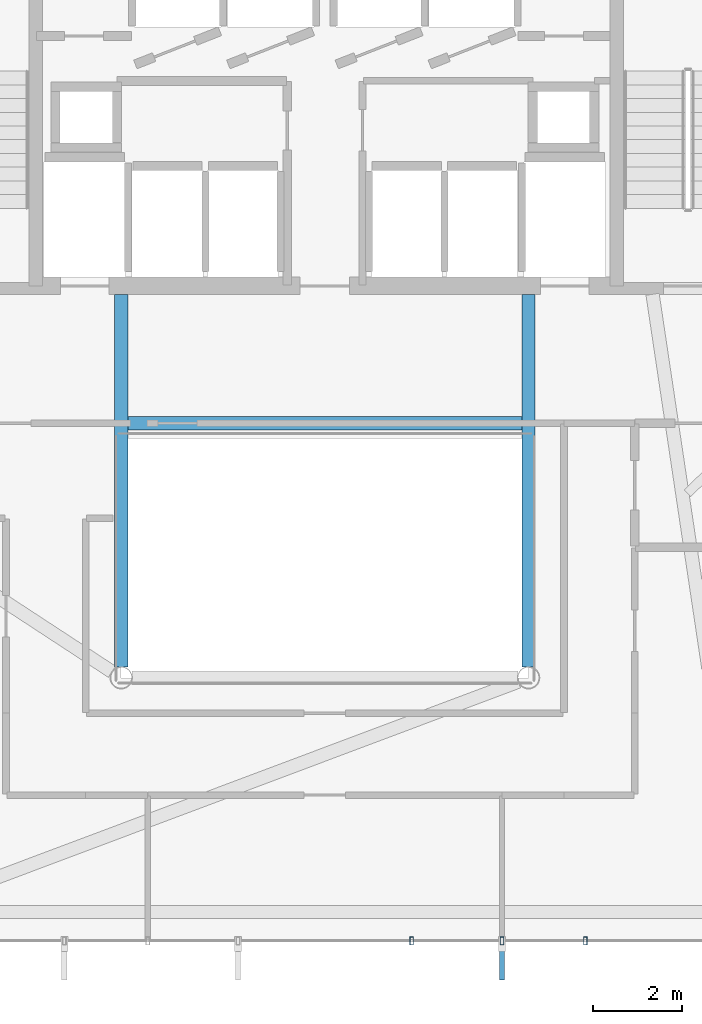
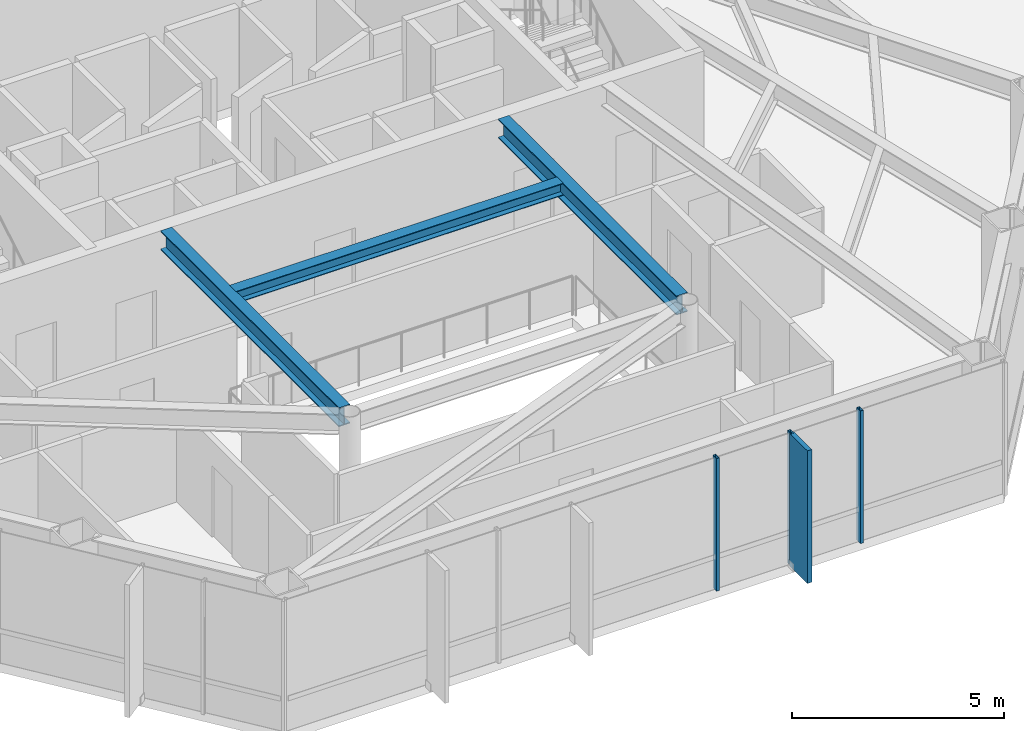
# One storey, part 8 of 25: 4 members, 3 beams, 1 element without a shape of its own.
"""IFC4 building model written with IfcOpenShell, lengths in metres."""

from ifc_helpers import new_model, si_unit, direction, frame, origin, origin_2d, place, context, subcontext, project, spatial, rectangle, hollow_rectangle, i_section, extrude, material, layer, layer_set, material_profile, profile_set, type_object, element, aggregate, save


model = new_model("IFC4")

# Units and contexts
model_context = context("Model", 3, precision=1e-05, world=origin(), true_north=direction((0.0, 1.0)))
body_context = subcontext(model_context, "Body", "Model", "MODEL_VIEW")
ifc_project = project(units=[si_unit("LENGTHUNIT", "METRE"), si_unit("AREAUNIT", "SQUARE_METRE"), si_unit("VOLUMEUNIT", "CUBIC_METRE"), si_unit("PLANEANGLEUNIT", "RADIAN"), si_unit("MASSUNIT", "GRAM", prefix="KILO")], contexts=[model_context])

# Site, building, storey
site_placement = place(None, origin())
site = spatial("IfcSite", under=ifc_project, at=site_placement, CompositionType="ELEMENT")
building_placement = place(site_placement, origin())
building = spatial("IfcBuilding", under=site, at=building_placement, Name="Zarrinselat Tower", CompositionType="ELEMENT")
storey_placement = place(building_placement, frame((0.0, 0.0, 88.739990234375)))
storey = spatial("IfcBuildingStorey", under=building, at=storey_placement, Name="L21", CompositionType="ELEMENT", Elevation=88.739990234375)

# Beams
ifc_material_1 = material(Name="Steel S355J2", Category="steel")
ifc_material_profile_1 = material_profile(ifc_material_1, i_section(OverallWidth=0.300048828125, OverallDepth=0.35009765625, WebThickness=0.010009765625, FlangeThickness=0.017578125, at=origin_2d()), Name="HEA 360")
ifc_profile_set_1 = profile_set([ifc_material_profile_1], Name="Steel S355J2")
beam_type_1 = type_object("IfcBeamType", Name="BM-HEA360", PredefinedType="LINTEL", material=ifc_profile_set_1)
beam_placement = place(storey_placement, frame((33.93994140625, 30.14990234375, 3.64501953125), z_axis=(1.0, 0.0, 0.0), x_axis=(0.0, 1.0, 0.0)))
element("IfcBeam", 1, at=beam_placement, inside=storey, type_object=beam_type_1, Name="L21 Lift Lobby Ceiling Beam", PredefinedType="LINTEL", context=body_context, shape_type="SweptSolid", body=[
    extrude(i_section(OverallWidth=0.300048828125, OverallDepth=0.35009765625, WebThickness=0.010009765625, FlangeThickness=0.017578125, at=origin_2d()), origin(), (0.0, 0.0, 1.0), 8.920166015625),
])
ifc_material_2 = material(Name="Steel S355J2", Category="steel")
ifc_material_profile_2 = material_profile(ifc_material_2, i_section(OverallWidth=0.300048828125, OverallDepth=0.550048828125, WebThickness=0.014892578125, FlangeThickness=0.029052734375, at=origin_2d()), Name="HEB 550")
ifc_profile_set_2 = profile_set([ifc_material_profile_2], Name="Steel S355J2")
beam_type_2 = type_object("IfcBeamType", Name="BM-HEB550", PredefinedType="BEAM", material=ifc_profile_set_2)
for number, where, z_axis, x_axis, name in (
    (2, (33.800048828125, 24.639892578125, 3.544921875), (0.0, 1.0, 0.0), (-1.0, 0.0, 0.0), "L21 Atrium Edge Beam W"),
    (3, (43.0, 24.639892578125, 3.544921875), (0.0, 1.0, 0.0), (-1.0, 0.0, 0.0), "L21 Atrium Edge Beam E"),
):
    element("IfcBeam", number, at=place(storey_placement, frame(where, z_axis=z_axis, x_axis=x_axis)), inside=storey, type_object=beam_type_2, Name=name, PredefinedType="BEAM", context=body_context, shape_type="SweptSolid", body=[
        extrude(i_section(OverallWidth=0.300048828125, OverallDepth=0.550048828125, WebThickness=0.014892578125, FlangeThickness=0.029052734375, at=origin_2d()), origin(), (0.0, 0.0, 1.0), 8.420166015625),
    ])

# Curtain wall, members
ifc_material_3 = material(Name="Extruded Aluminium Alloy EN AW-6063 T6", Category="aluminium")
ifc_layer = layer(ifc_material_3, 0.18505859375)
ifc_layer_set = layer_set([ifc_layer], Name="Extruded Aluminium Alloy EN AW-6063 T6")
curtain_wall_type = type_object("IfcCurtainWallType", Name="CWS-OFF", PredefinedType="NOTDEFINED", material=ifc_layer_set)
curtain_wall_placement = place(storey_placement, origin())
curtain_wall = element("IfcCurtainWall", 4, at=curtain_wall_placement, inside=storey, type_object=curtain_wall_type, Name="L21 Unitised Curtain Wall CW-L21-E04", PredefinedType="NOTDEFINED")
ifc_material_4 = material(Name="Extruded Aluminium Alloy EN AW-6063 T6", Category="aluminium")
ifc_material_profile_3 = material_profile(ifc_material_4, hollow_rectangle(XDim=0.080078125, YDim=0.179931640625, WallThickness=0.0048828125, at=origin_2d()), Name="RHS 180x80x5")
ifc_profile_set_3 = profile_set([ifc_material_profile_3], Name="Extruded Aluminium Alloy EN AW-6063 T6")
member_type_1 = type_object("IfcMemberType", Name="MEM-CW-MUL", PredefinedType="MULLION", material=ifc_profile_set_3)
member_1_placement = place(storey_placement, frame((40.361083984375, 18.4599609375, 0.0), z_axis=(0.0, 0.0, 1.0), x_axis=(1.0, 0.0, 0.0)))
member_1 = element("IfcMember", 5, at=member_1_placement, type_object=member_type_1, Name="CW-L21-E04 Mullion 4", PredefinedType="MULLION", context=body_context, shape_type="SweptSolid", body=[
    extrude(hollow_rectangle(XDim=0.080078125, YDim=0.179931640625, WallThickness=0.0048828125, at=origin_2d()), origin(), (0.0, 0.0, 1.0), 3.820068359375),
])
member_2_placement = place(storey_placement, frame((42.39990234375, 18.4599609375, 0.0), z_axis=(0.0, 0.0, 1.0), x_axis=(1.0, 0.0, 0.0)))
member_2 = element("IfcMember", 6, at=member_2_placement, type_object=member_type_1, Name="CW-L21-E04 Mullion 5", PredefinedType="MULLION", context=body_context, shape_type="SweptSolid", body=[
    extrude(hollow_rectangle(XDim=0.080078125, YDim=0.179931640625, WallThickness=0.0048828125, at=origin_2d()), origin(), (0.0, 0.0, 1.0), 3.820068359375),
])
member_3_placement = place(storey_placement, frame((44.283447265625, 18.4599609375, 0.0), z_axis=(0.0, 0.0, 1.0), x_axis=(1.0, 0.0, 0.0)))
member_3 = element("IfcMember", 7, at=member_3_placement, type_object=member_type_1, Name="CW-L21-E04 Mullion 6", PredefinedType="MULLION", context=body_context, shape_type="SweptSolid", body=[
    extrude(hollow_rectangle(XDim=0.080078125, YDim=0.179931640625, WallThickness=0.0048828125, at=origin_2d()), origin(), (0.0, 0.0, 1.0), 3.820068359375),
])
ifc_material_5 = material(Name="Honed Cream Travertine Stone", Category="masonry")
ifc_material_profile_4 = material_profile(ifc_material_5, rectangle(XDim=0.1201171875, YDim=0.85009765625, at=origin_2d()), Name="FIN 850x120")
ifc_profile_set_4 = profile_set([ifc_material_profile_4], Name="Honed Cream Travertine Stone")
member_type_2 = type_object("IfcMemberType", Name="MEM-STONE-FIN", PredefinedType="USERDEFINED", material=ifc_profile_set_4)
member_4_placement = place(storey_placement, frame((42.39990234375, 18.0, 0.0), z_axis=(0.0, 0.0, 1.0), x_axis=(-1.0, 0.0, 0.0)))
member_4 = element("IfcMember", 8, at=member_4_placement, type_object=member_type_2, Name="L21 Stone Shading Fin CW-L21-E04-05", ObjectType="FIN", PredefinedType="USERDEFINED", context=body_context, shape_type="SweptSolid", body=[
    extrude(rectangle(XDim=0.1201171875, YDim=0.85009765625, at=origin_2d()), origin(), (0.0, 0.0, 1.0), 3.820068359375),
])
aggregate(curtain_wall, [member_1, member_2, member_4, member_3])

save(model, "model.ifc")
